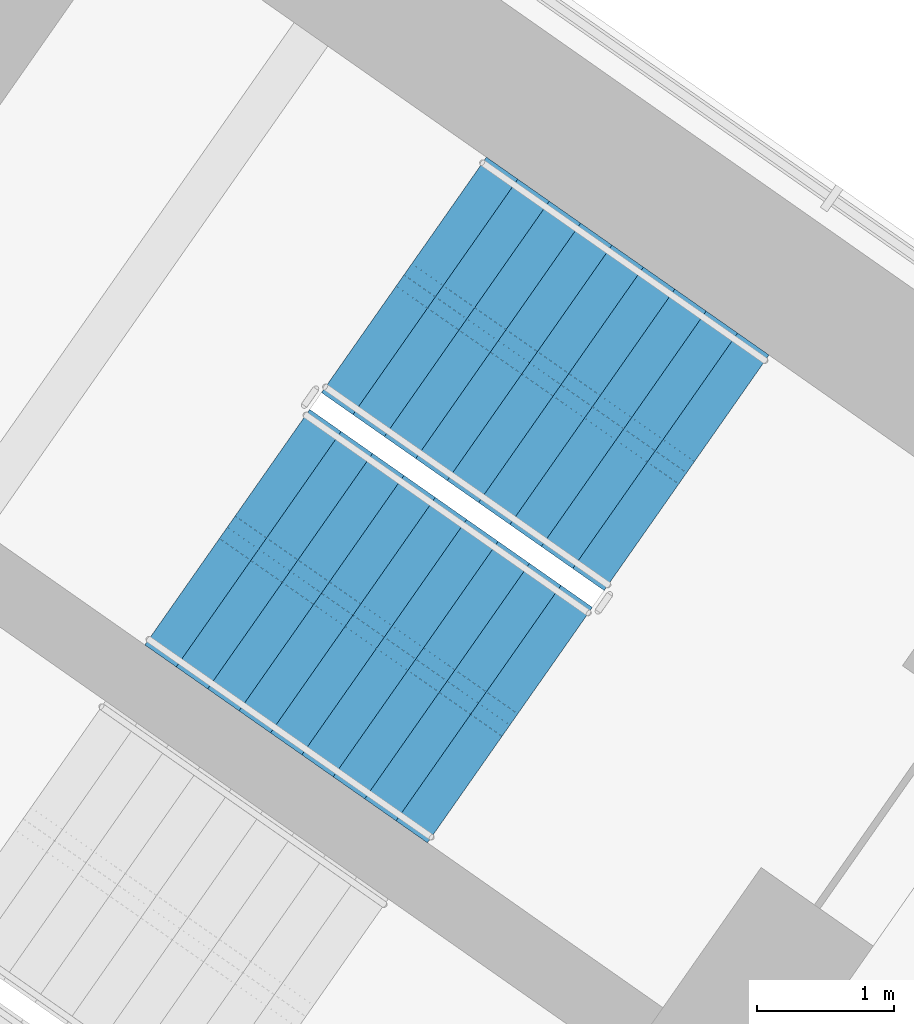
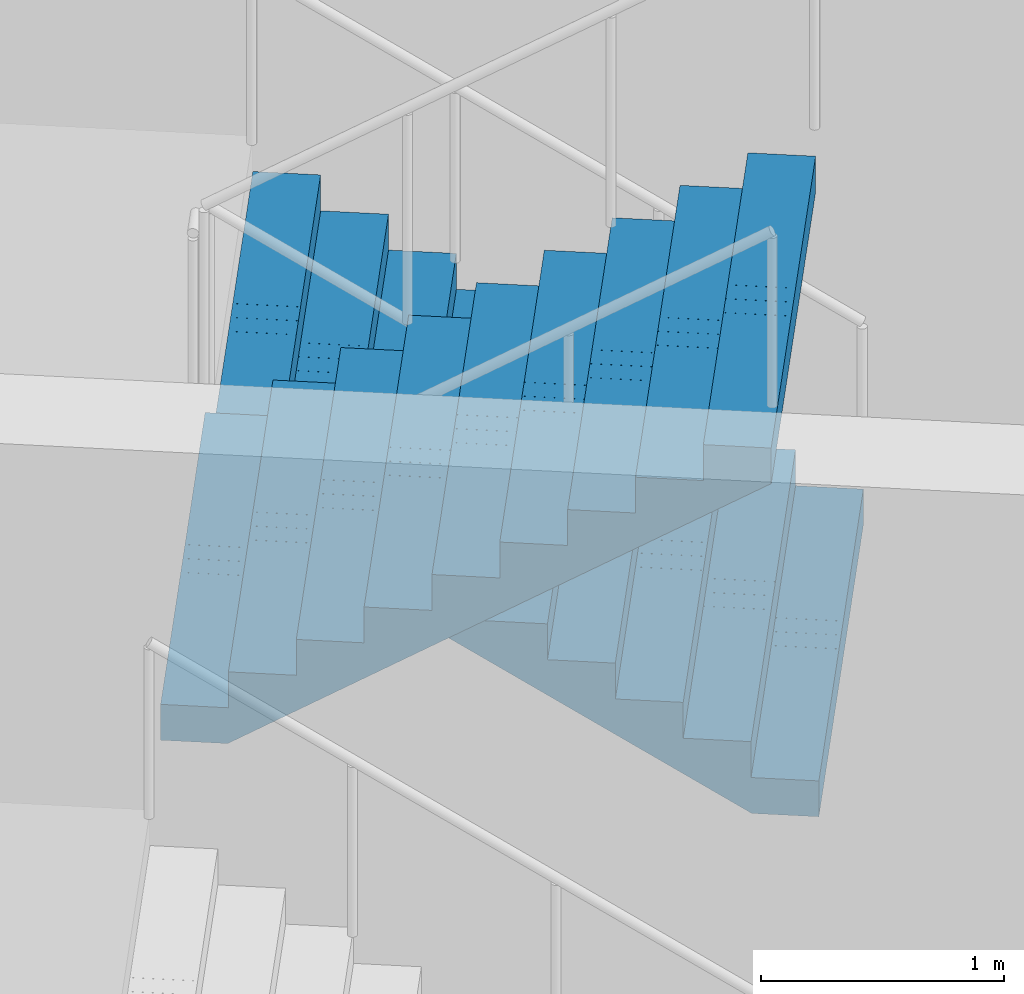
# One storey, part 17 of 23: 2 stair flights, 1 element without a shape of its own.
"""IFC4 building model written with IfcOpenShell, lengths in metres."""

from ifc_helpers import new_model, si_unit, direction, frame, origin, place, context, subcontext, project, spatial, polyline, outline, extrude, material, type_object, element, aggregate, save


model = new_model("IFC4")

# Units and contexts
model_context = context("Model", 3, precision=1e-05, world=origin(), true_north=direction((0.0, 1.0)))
body_context = subcontext(model_context, "Body", "Model", "MODEL_VIEW")
ifc_project = project(units=[si_unit("LENGTHUNIT", "METRE"), si_unit("AREAUNIT", "SQUARE_METRE"), si_unit("VOLUMEUNIT", "CUBIC_METRE"), si_unit("PLANEANGLEUNIT", "RADIAN"), si_unit("MASSUNIT", "GRAM", prefix="KILO")], contexts=[model_context])

# Site, building, storey
site_placement = place(None, origin())
site = spatial("IfcSite", under=ifc_project, at=site_placement, CompositionType="ELEMENT")
building_placement = place(site_placement, origin())
building = spatial("IfcBuilding", under=site, at=building_placement, Name="Tel Ilan Convention Tower", CompositionType="ELEMENT")
storey_placement = place(building_placement, frame((0.0, 0.0, 101.300048828125)))
storey = spatial("IfcBuildingStorey", under=building, at=storey_placement, Name="L21", CompositionType="ELEMENT", Elevation=101.300048828125)

# Stair, stair flights
ifc_material_1 = material(Name="Concrete C40/50", Category="concrete")
stair_type = type_object("IfcStairType", Name="Pressurised Exit Stair 20 risers 180 mm", PredefinedType="HALF_TURN_STAIR", material=ifc_material_1)
stair_placement = place(storey_placement, origin())
stair = element("IfcStair", 1, at=stair_placement, inside=storey, type_object=stair_type, Name="L21 Pressurised Stair S3", PredefinedType="HALF_TURN_STAIR")
ifc_material_2 = material(Name="Precast Concrete C40/50", Category="concrete")
stair_flight_type = type_object("IfcStairFlightType", Name="Concrete Stair Flight 2100 mm 20 risers 180 mm", PredefinedType="STRAIGHT", material=ifc_material_2)
stair_flight_1_placement = place(storey_placement, frame((24.25244140625, -7.032470703125, 0.0), z_axis=(0.0, 0.0, 1.0), x_axis=(-0.819152044289, 0.573576436351, 0.0)))
stair_flight_1 = element("IfcStairFlight", 2, at=stair_flight_1_placement, type_object=stair_flight_type, Name="S3 flight 1", NumberOfRisers=10, NumberOfTreads=9, PredefinedType="STRAIGHT", RiserHeight=0.18, TreadLength=0.28, context=body_context, shape_type="SweptSolid", body=[
    extrude(outline(polyline([(0.0, 0.0), (0.0, 0.179931640625), (0.280029296875, 0.179931640625), (0.280029296875, 0.360107421875), (0.56005859375, 0.360107421875), (0.56005859375, 0.5400390625), (0.840087890625, 0.5400390625), (0.840087890625, 0.719970703125), (1.1201171875, 0.719970703125), (1.1201171875, 0.89990234375), (1.39990234375, 0.89990234375), (1.39990234375, 1.080078125), (1.679931640625, 1.080078125), (1.679931640625, 1.260009765625), (1.9599609375, 1.260009765625), (1.9599609375, 1.43994140625), (2.239990234375, 1.43994140625), (2.239990234375, 1.6201171875), (2.52001953125, 1.6201171875), (2.52001953125, 1.800048828125), (2.52001953125, 1.44189453125), (0.277099609375, 0.0), (0.0, 0.0)])), frame((0.0, -0.100341796875, 0.0), z_axis=(0.0, -1.0, 0.0), x_axis=(1.0, 0.0, 0.0)), (0.0, 0.0, 1.0), 0.94970703125),
    extrude(outline(polyline([(0.0, 0.0), (0.0, 0.179931640625), (0.280029296875, 0.179931640625), (0.280029296875, 0.360107421875), (0.56005859375, 0.360107421875), (0.56005859375, 0.5400390625), (0.840087890625, 0.5400390625), (0.840087890625, 0.719970703125), (1.1201171875, 0.719970703125), (1.1201171875, 0.89990234375), (1.39990234375, 0.89990234375), (1.39990234375, 1.080078125), (1.679931640625, 1.080078125), (1.679931640625, 1.260009765625), (1.9599609375, 1.260009765625), (1.9599609375, 1.43994140625), (2.239990234375, 1.43994140625), (2.239990234375, 1.6201171875), (2.52001953125, 1.6201171875), (2.52001953125, 1.800048828125), (2.52001953125, 1.44189453125), (0.277099609375, 0.0), (0.0, 0.0)])), frame((0.0, -0.000244140625, 0.0), z_axis=(0.0, -1.0, 0.0), x_axis=(1.0, 0.0, 0.0)), (0.0, 0.0, 1.0), 0.099609375),
    extrude(outline(polyline([(0.0, 0.0), (0.0, 0.179931640625), (0.280029296875, 0.179931640625), (0.280029296875, 0.360107421875), (0.56005859375, 0.360107421875), (0.56005859375, 0.5400390625), (0.840087890625, 0.5400390625), (0.840087890625, 0.719970703125), (1.1201171875, 0.719970703125), (1.1201171875, 0.89990234375), (1.39990234375, 0.89990234375), (1.39990234375, 1.080078125), (1.679931640625, 1.080078125), (1.679931640625, 1.260009765625), (1.9599609375, 1.260009765625), (1.9599609375, 1.43994140625), (2.239990234375, 1.43994140625), (2.239990234375, 1.6201171875), (2.52001953125, 1.6201171875), (2.52001953125, 1.800048828125), (2.52001953125, 1.44189453125), (0.277099609375, 0.0), (0.0, 0.0)])), frame((0.0, 0.099853515625, 0.0), z_axis=(0.0, -1.0, 0.0), x_axis=(1.0, 0.0, 0.0)), (0.0, 0.0, 1.0), 0.099609375),
    extrude(outline(polyline([(0.0, 0.0), (0.0, 0.179931640625), (0.280029296875, 0.179931640625), (0.280029296875, 0.360107421875), (0.56005859375, 0.360107421875), (0.56005859375, 0.5400390625), (0.840087890625, 0.5400390625), (0.840087890625, 0.719970703125), (1.1201171875, 0.719970703125), (1.1201171875, 0.89990234375), (1.39990234375, 0.89990234375), (1.39990234375, 1.080078125), (1.679931640625, 1.080078125), (1.679931640625, 1.260009765625), (1.9599609375, 1.260009765625), (1.9599609375, 1.43994140625), (2.239990234375, 1.43994140625), (2.239990234375, 1.6201171875), (2.52001953125, 1.6201171875), (2.52001953125, 1.800048828125), (2.52001953125, 1.44189453125), (0.277099609375, 0.0), (0.0, 0.0)])), frame((0.0, 1.050048828125, 0.0), z_axis=(0.0, -1.0, 0.0), x_axis=(1.0, 0.0, 0.0)), (0.0, 0.0, 1.0), 0.94970703125),
])
stair_flight_2_placement = place(storey_placement, frame((20.8974609375, -7.43017578125, 1.800048828125), z_axis=(0.0, 0.0, 1.0), x_axis=(0.819152044289, -0.573576436351, 0.0)))
stair_flight_2 = element("IfcStairFlight", 3, at=stair_flight_2_placement, type_object=stair_flight_type, Name="S3 flight 2", NumberOfRisers=10, NumberOfTreads=9, PredefinedType="STRAIGHT", RiserHeight=0.18, TreadLength=0.28, context=body_context, shape_type="SweptSolid", body=[
    extrude(outline(polyline([(0.0, 0.0), (0.0, 0.179931640625), (0.280029296875, 0.179931640625), (0.280029296875, 0.360107421875), (0.56005859375, 0.360107421875), (0.56005859375, 0.5400390625), (0.840087890625, 0.5400390625), (0.840087890625, 0.719970703125), (1.1201171875, 0.719970703125), (1.1201171875, 0.89990234375), (1.39990234375, 0.89990234375), (1.39990234375, 1.080078125), (1.679931640625, 1.080078125), (1.679931640625, 1.260009765625), (1.9599609375, 1.260009765625), (1.9599609375, 1.43994140625), (2.239990234375, 1.43994140625), (2.239990234375, 1.6201171875), (2.52001953125, 1.6201171875), (2.52001953125, 1.800048828125), (2.52001953125, 1.44189453125), (0.277099609375, 0.0), (0.0, 0.0)])), frame((0.0, -0.100341796875, 0.0), z_axis=(0.0, -1.0, 0.0), x_axis=(1.0, 0.0, 0.0)), (0.0, 0.0, 1.0), 0.94970703125),
    extrude(outline(polyline([(0.0, 0.0), (0.0, 0.179931640625), (0.280029296875, 0.179931640625), (0.280029296875, 0.360107421875), (0.56005859375, 0.360107421875), (0.56005859375, 0.5400390625), (0.840087890625, 0.5400390625), (0.840087890625, 0.719970703125), (1.1201171875, 0.719970703125), (1.1201171875, 0.89990234375), (1.39990234375, 0.89990234375), (1.39990234375, 1.080078125), (1.679931640625, 1.080078125), (1.679931640625, 1.260009765625), (1.9599609375, 1.260009765625), (1.9599609375, 1.43994140625), (2.239990234375, 1.43994140625), (2.239990234375, 1.6201171875), (2.52001953125, 1.6201171875), (2.52001953125, 1.800048828125), (2.52001953125, 1.44189453125), (0.277099609375, 0.0), (0.0, 0.0)])), frame((0.0, -0.000244140625, 0.0), z_axis=(0.0, -1.0, 0.0), x_axis=(1.0, 0.0, 0.0)), (0.0, 0.0, 1.0), 0.099609375),
    extrude(outline(polyline([(0.0, 0.0), (0.0, 0.179931640625), (0.280029296875, 0.179931640625), (0.280029296875, 0.360107421875), (0.56005859375, 0.360107421875), (0.56005859375, 0.5400390625), (0.840087890625, 0.5400390625), (0.840087890625, 0.719970703125), (1.1201171875, 0.719970703125), (1.1201171875, 0.89990234375), (1.39990234375, 0.89990234375), (1.39990234375, 1.080078125), (1.679931640625, 1.080078125), (1.679931640625, 1.260009765625), (1.9599609375, 1.260009765625), (1.9599609375, 1.43994140625), (2.239990234375, 1.43994140625), (2.239990234375, 1.6201171875), (2.52001953125, 1.6201171875), (2.52001953125, 1.800048828125), (2.52001953125, 1.44189453125), (0.277099609375, 0.0), (0.0, 0.0)])), frame((0.0, 0.099853515625, 0.0), z_axis=(0.0, -1.0, 0.0), x_axis=(1.0, 0.0, 0.0)), (0.0, 0.0, 1.0), 0.099609375),
    extrude(outline(polyline([(0.0, 0.0), (0.0, 0.179931640625), (0.280029296875, 0.179931640625), (0.280029296875, 0.360107421875), (0.56005859375, 0.360107421875), (0.56005859375, 0.5400390625), (0.840087890625, 0.5400390625), (0.840087890625, 0.719970703125), (1.1201171875, 0.719970703125), (1.1201171875, 0.89990234375), (1.39990234375, 0.89990234375), (1.39990234375, 1.080078125), (1.679931640625, 1.080078125), (1.679931640625, 1.260009765625), (1.9599609375, 1.260009765625), (1.9599609375, 1.43994140625), (2.239990234375, 1.43994140625), (2.239990234375, 1.6201171875), (2.52001953125, 1.6201171875), (2.52001953125, 1.800048828125), (2.52001953125, 1.44189453125), (0.277099609375, 0.0), (0.0, 0.0)])), frame((0.0, 1.050048828125, 0.0), z_axis=(0.0, -1.0, 0.0), x_axis=(1.0, 0.0, 0.0)), (0.0, 0.0, 1.0), 0.94970703125),
])
aggregate(stair, [stair_flight_1, stair_flight_2])

save(model, "model.ifc")
